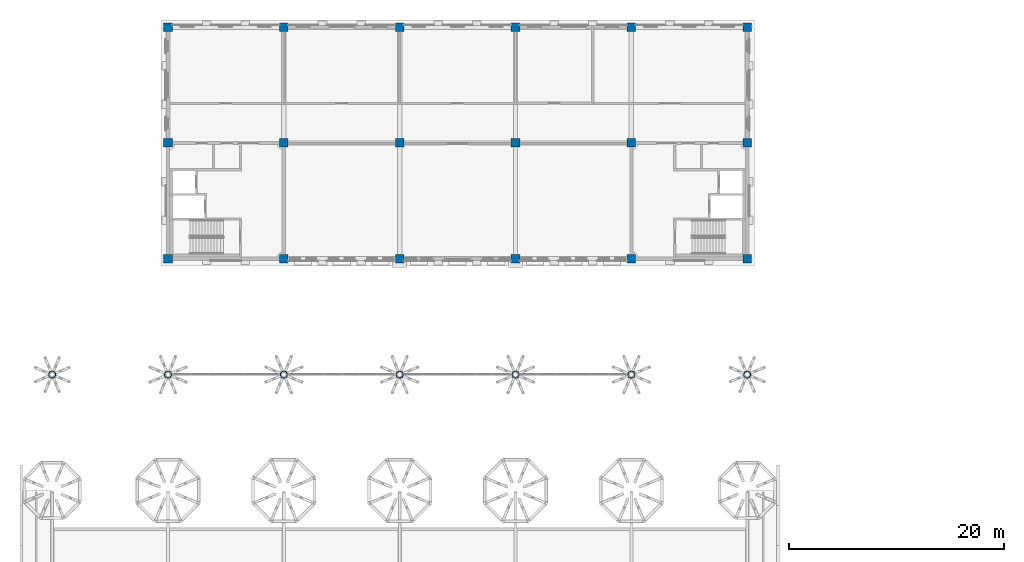
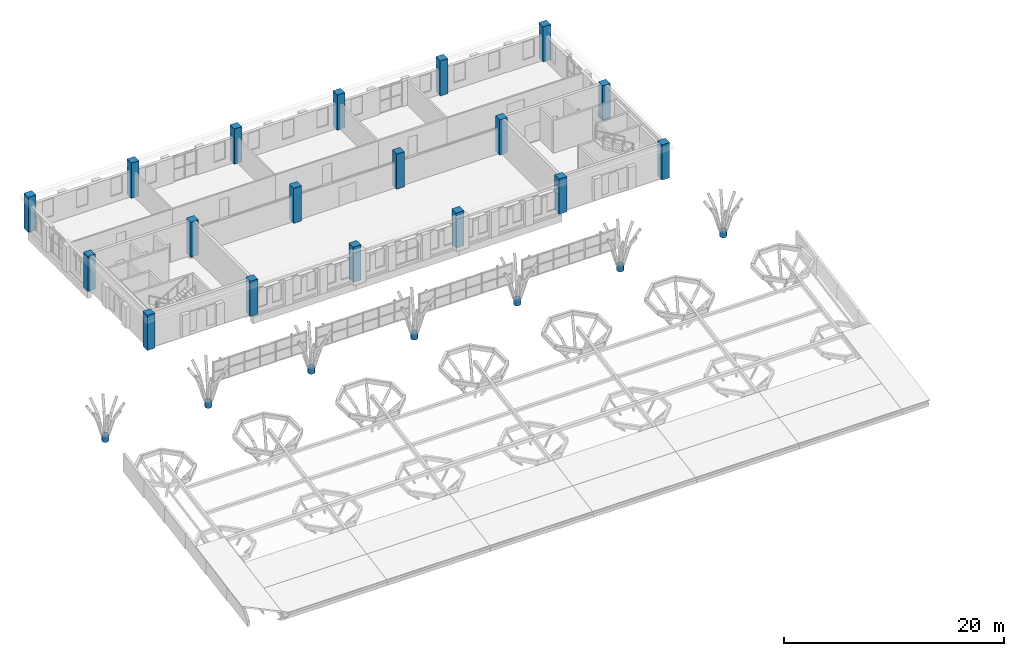
# One storey, part 1 of 42: 25 columns.
"""IFC4 building model written with IfcOpenShell, lengths in metres."""

from ifc_helpers import new_model, si_unit, direction, frame, origin, origin_2d, place, context, subcontext, project, spatial, rectangle, hollow_circle, extrude, material, material_profile, profile_set, type_object, element, save


model = new_model("IFC4")

# Units and contexts
model_context = context("Model", 3, precision=1e-05, world=origin(), true_north=direction((0.0, 1.0)))
body_context = subcontext(model_context, "Body", "Model", "MODEL_VIEW")
ifc_project = project(units=[si_unit("LENGTHUNIT", "METRE"), si_unit("AREAUNIT", "SQUARE_METRE"), si_unit("VOLUMEUNIT", "CUBIC_METRE"), si_unit("PLANEANGLEUNIT", "RADIAN"), si_unit("MASSUNIT", "GRAM", prefix="KILO")], contexts=[model_context])

# Site, building, storey
site_placement = place(None, origin())
site = spatial("IfcSite", under=ifc_project, at=site_placement, CompositionType="ELEMENT")
building_placement = place(site_placement, origin())
building = spatial("IfcBuilding", under=site, at=building_placement, Name="Magnolia Steps Interchange", CompositionType="ELEMENT")
storey_placement = place(building_placement, frame((0.0, 0.0, 12.60009765625)))
storey = spatial("IfcBuildingStorey", under=building, at=storey_placement, Name="L03", CompositionType="ELEMENT", Elevation=12.60009765625)

# Columns
ifc_material_1 = material(Name="Concrete C40", Category="concrete")
ifc_material_profile_1 = material_profile(ifc_material_1, rectangle(XDim=0.800048828125, YDim=0.800048828125, at=origin_2d()), Name="RC800x800")
ifc_profile_set_1 = profile_set([ifc_material_profile_1], Name="Concrete C40")
column_type_1 = type_object("IfcColumnType", Name="RC column 800x800", PredefinedType="COLUMN", material=ifc_profile_set_1)
for number, where, z_axis, x_axis, name in (
    (1, (64.0, 96.39990234375, 0.0), (0.0, 0.0, 1.0), (1.0, 0.0, 0.0), "Column OPE-6I L03"),
    (2, (64.0, 107.199951171875, 0.0), (0.0, 0.0, 1.0), (1.0, 0.0, 0.0), "Column OPE-6J L03"),
    (3, (64.0, 118.0, 0.0), (0.0, 0.0, 1.0), (1.0, 0.0, 0.0), "Column OPE-6K L03"),
    (4, (74.800048828125, 96.39990234375, 0.0), (0.0, 0.0, 1.0), (1.0, 0.0, 0.0), "Column OPE-7I L03"),
    (5, (74.800048828125, 107.199951171875, 0.0), (0.0, 0.0, 1.0), (1.0, 0.0, 0.0), "Column OPE-7J L03"),
    (6, (74.800048828125, 118.0, 0.0), (0.0, 0.0, 1.0), (1.0, 0.0, 0.0), "Column OPE-7K L03"),
    (7, (85.60009765625, 96.39990234375, 0.0), (0.0, 0.0, 1.0), (1.0, 0.0, 0.0), "Column OPE-8I L03"),
    (8, (85.60009765625, 107.199951171875, 0.0), (0.0, 0.0, 1.0), (1.0, 0.0, 0.0), "Column OPE-8J L03"),
    (9, (85.60009765625, 118.0, 0.0), (0.0, 0.0, 1.0), (1.0, 0.0, 0.0), "Column OPE-8K L03"),
    (10, (96.39990234375, 96.39990234375, 0.0), (0.0, 0.0, 1.0), (1.0, 0.0, 0.0), "Column OPE-9I L03"),
    (11, (96.39990234375, 107.199951171875, 0.0), (0.0, 0.0, 1.0), (1.0, 0.0, 0.0), "Column OPE-9J L03"),
    (12, (96.39990234375, 118.0, 0.0), (0.0, 0.0, 1.0), (1.0, 0.0, 0.0), "Column OPE-9K L03"),
    (13, (107.199951171875, 96.39990234375, 0.0), (0.0, 0.0, 1.0), (1.0, 0.0, 0.0), "Column OPE-10I L03"),
    (14, (107.199951171875, 107.199951171875, 0.0), (0.0, 0.0, 1.0), (1.0, 0.0, 0.0), "Column OPE-10J L03"),
    (15, (107.199951171875, 118.0, 0.0), (0.0, 0.0, 1.0), (1.0, 0.0, 0.0), "Column OPE-10K L03"),
    (16, (118.0, 96.39990234375, 0.0), (0.0, 0.0, 1.0), (1.0, 0.0, 0.0), "Column OPE-11I L03"),
    (17, (118.0, 107.199951171875, 0.0), (0.0, 0.0, 1.0), (1.0, 0.0, 0.0), "Column OPE-11J L03"),
    (18, (118.0, 118.0, 0.0), (0.0, 0.0, 1.0), (1.0, 0.0, 0.0), "Column OPE-11K L03"),
):
    element("IfcColumn", number, at=place(storey_placement, frame(where, z_axis=z_axis, x_axis=x_axis)), inside=storey, type_object=column_type_1, Name=name, PredefinedType="COLUMN", context=body_context, shape_type="SweptSolid", body=[
        extrude(rectangle(XDim=0.800048828125, YDim=0.800048828125, at=origin_2d()), origin(), (0.0, 0.0, 1.0), 3.89990234375),
    ])
ifc_material_2 = material(Name="Steel Q355B", Category="steel")
ifc_material_profile_2 = material_profile(ifc_material_2, hollow_circle(Radius=0.330078125, WallThickness=0.02490234375, at=origin_2d()), Name="CHS660x25")
ifc_profile_set_2 = profile_set([ifc_material_profile_2], Name="Steel Q355B")
column_type_2 = type_object("IfcColumnType", Name="Tree trunk CHS660x25", PredefinedType="COLUMN", material=ifc_profile_set_2)
for number, where, z_axis, x_axis, name in (
    (19, (53.199951171875, 85.60009765625, 0.0), (0.0, 0.0, 1.0), (1.0, 0.0, 0.0), "Tree trunk TH01E"),
    (20, (64.0, 85.60009765625, 0.0), (0.0, 0.0, 1.0), (1.0, 0.0, 0.0), "Tree trunk TH02E"),
    (21, (74.800048828125, 85.60009765625, 0.0), (0.0, 0.0, 1.0), (1.0, 0.0, 0.0), "Tree trunk TH03E"),
    (22, (85.60009765625, 85.60009765625, 0.0), (0.0, 0.0, 1.0), (1.0, 0.0, 0.0), "Tree trunk TH04E"),
    (23, (96.39990234375, 85.60009765625, 0.0), (0.0, 0.0, 1.0), (1.0, 0.0, 0.0), "Tree trunk TH05E"),
    (24, (107.199951171875, 85.60009765625, 0.0), (0.0, 0.0, 1.0), (1.0, 0.0, 0.0), "Tree trunk TH06E"),
    (25, (118.0, 85.60009765625, 0.0), (0.0, 0.0, 1.0), (1.0, 0.0, 0.0), "Tree trunk TH07E"),
):
    element("IfcColumn", number, at=place(storey_placement, frame(where, z_axis=z_axis, x_axis=x_axis)), inside=storey, type_object=column_type_2, Name=name, PredefinedType="COLUMN", context=body_context, shape_type="SweptSolid", body=[
        extrude(hollow_circle(Radius=0.330078125, WallThickness=0.02490234375, at=origin_2d()), origin(), (0.0, 0.0, 1.0), 0.691162109375),
    ])

save(model, "model.ifc")
